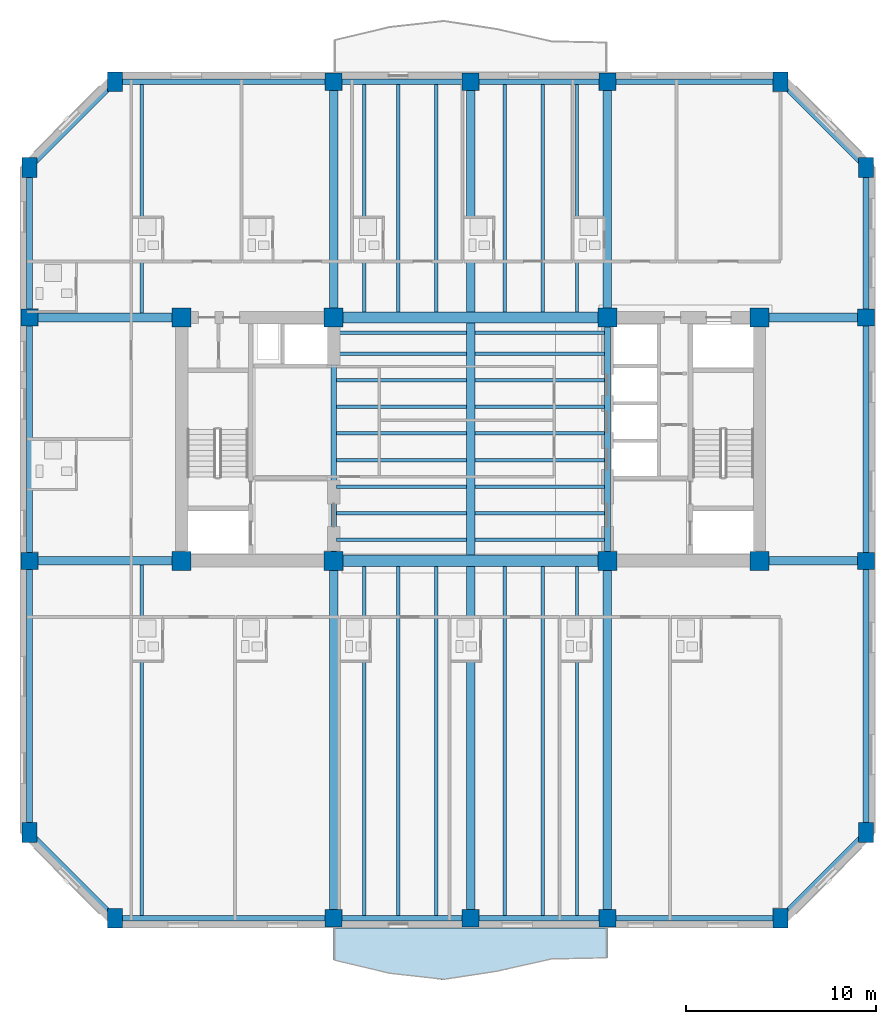
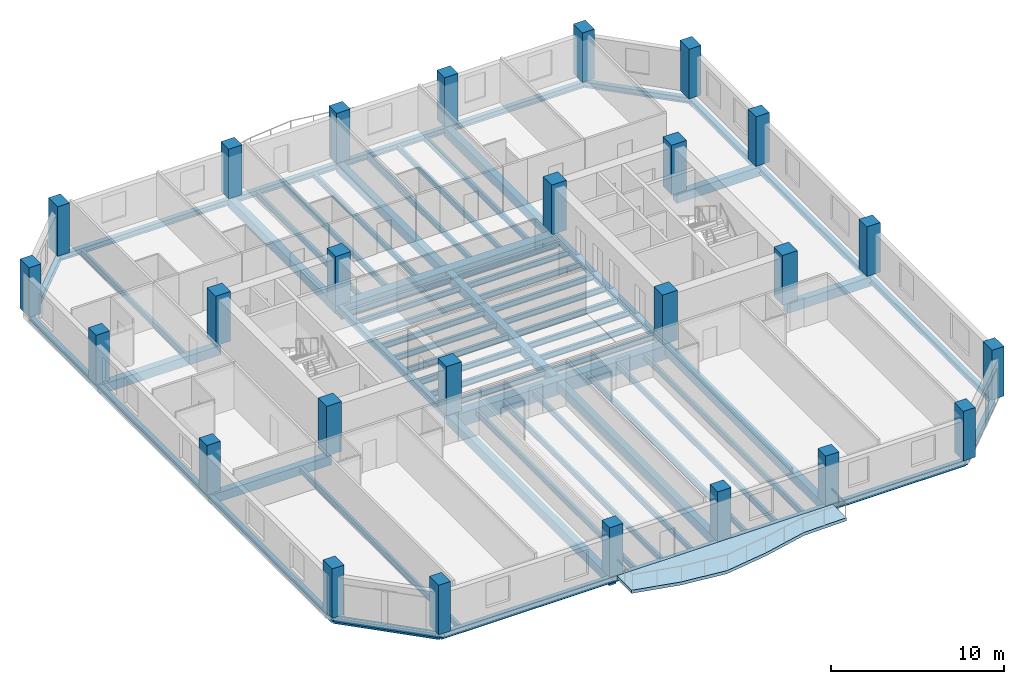
# One storey, part 1 of 11: 65 beams, 26 columns, 1 slab.
"""IFC4 building model written with IfcOpenShell, lengths in metres."""

from ifc_helpers import new_model, si_unit, direction, frame, origin, origin_2d, place, context, subcontext, project, spatial, polyline, rectangle, i_section, outline, extrude, material, layer, layer_set, material_profile, profile_set, type_object, element, save


model = new_model("IFC4")

# Units and contexts
model_context = context("Model", 3, precision=1e-05, world=origin(), true_north=direction((0.0, 1.0)))
body_context = subcontext(model_context, "Body", "Model", "MODEL_VIEW")
ifc_project = project(units=[si_unit("LENGTHUNIT", "METRE"), si_unit("AREAUNIT", "SQUARE_METRE"), si_unit("VOLUMEUNIT", "CUBIC_METRE"), si_unit("PLANEANGLEUNIT", "RADIAN"), si_unit("MASSUNIT", "GRAM", prefix="KILO")], contexts=[model_context])

# Site, building, storey
site_placement = place(None, origin())
site = spatial("IfcSite", under=ifc_project, at=site_placement, CompositionType="ELEMENT")
building_placement = place(site_placement, origin())
building = spatial("IfcBuilding", under=site, at=building_placement, Name="Kranthara Brick Stack", CompositionType="ELEMENT")
storey_placement = place(building_placement, frame((0.0, 0.0, 134.300048828125)))
storey = spatial("IfcBuildingStorey", under=building, at=storey_placement, Name="L33", CompositionType="ELEMENT", Elevation=134.300048828125)

# Columns
ifc_material_1 = material(Name="Concrete C60/75", Category="concrete")
ifc_material_profile_1 = material_profile(ifc_material_1, rectangle(XDim=0.800048828125, YDim=1.050048828125, at=origin_2d()), Name="RC 800x1050")
ifc_profile_set_1 = profile_set([ifc_material_profile_1], Name="Concrete C60/75")
column_type_1 = type_object("IfcColumnType", Name="COL-CHAM-800x1050", PredefinedType="COLUMN", material=ifc_profile_set_1)
for number, where, z_axis, x_axis, name in (
    (1, (9.300048828125, 2.0, 0.0), (0.0, 0.0, 1.0), (1.0, 0.0, 0.0), "L33 Column 09"),
    (2, (9.300048828125, 46.0, 0.0), (0.0, 0.0, 1.0), (1.0, 0.0, 0.0), "L33 Column 10"),
    (3, (44.300048828125, 2.0, 0.0), (0.0, 0.0, 1.0), (1.0, 0.0, 0.0), "L33 Column 17"),
    (4, (44.300048828125, 46.0, 0.0), (0.0, 0.0, 1.0), (1.0, 0.0, 0.0), "L33 Column 18"),
    (5, (4.800048828125, 6.5, 0.0), (0.0, 0.0, 1.0), (1.0, 0.0, 0.0), "L33 Column 19"),
    (6, (48.800048828125, 6.5, 0.0), (0.0, 0.0, 1.0), (1.0, 0.0, 0.0), "L33 Column 20"),
    (7, (4.800048828125, 41.5, 0.0), (0.0, 0.0, 1.0), (1.0, 0.0, 0.0), "L33 Column 25"),
    (8, (48.800048828125, 41.5, 0.0), (0.0, 0.0, 1.0), (1.0, 0.0, 0.0), "L33 Column 26"),
):
    element("IfcColumn", number, at=place(storey_placement, frame(where, z_axis=z_axis, x_axis=x_axis)), inside=storey, type_object=column_type_1, Name=name, PredefinedType="COLUMN", context=body_context, shape_type="SweptSolid", body=[
        extrude(rectangle(XDim=0.800048828125, YDim=1.050048828125, at=origin_2d()), origin(), (0.0, 0.0, 1.0), 3.5),
    ])
ifc_material_2 = material(Name="Concrete C60/75", Category="concrete")
ifc_material_profile_2 = material_profile(ifc_material_2, rectangle(XDim=1.0, YDim=1.0, at=origin_2d()), Name="RC 1000x1000")
ifc_profile_set_2 = profile_set([ifc_material_profile_2], Name="Concrete C60/75")
column_type_2 = type_object("IfcColumnType", Name="COL-CORE-1000", PredefinedType="COLUMN", material=ifc_profile_set_2)
for number, where, z_axis, x_axis, name in (
    (9, (12.800048828125, 20.800048828125, 0.0), (0.0, 0.0, 1.0), (1.0, 0.0, 0.0), "L33 Column 01"),
    (10, (20.800048828125, 20.800048828125, 0.0), (0.0, 0.0, 1.0), (1.0, 0.0, 0.0), "L33 Column 02"),
    (11, (12.800048828125, 33.60009765625, 0.0), (0.0, 0.0, 1.0), (1.0, 0.0, 0.0), "L33 Column 03"),
    (12, (20.800048828125, 33.60009765625, 0.0), (0.0, 0.0, 1.0), (1.0, 0.0, 0.0), "L33 Column 04"),
    (13, (35.199951171875, 20.800048828125, 0.0), (0.0, 0.0, 1.0), (1.0, 0.0, 0.0), "L33 Column 05"),
    (14, (43.199951171875, 20.800048828125, 0.0), (0.0, 0.0, 1.0), (1.0, 0.0, 0.0), "L33 Column 06"),
    (15, (35.199951171875, 33.60009765625, 0.0), (0.0, 0.0, 1.0), (1.0, 0.0, 0.0), "L33 Column 07"),
    (16, (43.199951171875, 33.60009765625, 0.0), (0.0, 0.0, 1.0), (1.0, 0.0, 0.0), "L33 Column 08"),
):
    element("IfcColumn", number, at=place(storey_placement, frame(where, z_axis=z_axis, x_axis=x_axis)), inside=storey, type_object=column_type_2, Name=name, PredefinedType="COLUMN", context=body_context, shape_type="SweptSolid", body=[
        extrude(rectangle(XDim=1.0, YDim=1.0, at=origin_2d()), origin(), (0.0, 0.0, 1.0), 3.5),
    ])
ifc_material_3 = material(Name="Concrete C60/75", Category="concrete")
ifc_material_profile_3 = material_profile(ifc_material_3, rectangle(XDim=0.89990234375, YDim=0.89990234375, at=origin_2d()), Name="RC 900x900")
ifc_profile_set_3 = profile_set([ifc_material_profile_3], Name="Concrete C60/75")
column_type_3 = type_object("IfcColumnType", Name="COL-PER-900", PredefinedType="COLUMN", material=ifc_profile_set_3)
for number, where, z_axis, x_axis, name in (
    (17, (20.800048828125, 2.0, 0.0), (0.0, 0.0, 1.0), (1.0, 0.0, 0.0), "L33 Column 11"),
    (18, (20.800048828125, 46.0, 0.0), (0.0, 0.0, 1.0), (1.0, 0.0, 0.0), "L33 Column 12"),
    (19, (28.0, 2.0, 0.0), (0.0, 0.0, 1.0), (1.0, 0.0, 0.0), "L33 Column 13"),
    (20, (28.0, 46.0, 0.0), (0.0, 0.0, 1.0), (1.0, 0.0, 0.0), "L33 Column 14"),
    (21, (35.199951171875, 2.0, 0.0), (0.0, 0.0, 1.0), (1.0, 0.0, 0.0), "L33 Column 15"),
    (22, (35.199951171875, 46.0, 0.0), (0.0, 0.0, 1.0), (1.0, 0.0, 0.0), "L33 Column 16"),
    (23, (4.800048828125, 20.800048828125, 0.0), (0.0, 0.0, 1.0), (1.0, 0.0, 0.0), "L33 Column 21"),
    (24, (48.800048828125, 20.800048828125, 0.0), (0.0, 0.0, 1.0), (1.0, 0.0, 0.0), "L33 Column 22"),
    (25, (4.800048828125, 33.60009765625, 0.0), (0.0, 0.0, 1.0), (1.0, 0.0, 0.0), "L33 Column 23"),
    (26, (48.800048828125, 33.60009765625, 0.0), (0.0, 0.0, 1.0), (1.0, 0.0, 0.0), "L33 Column 24"),
):
    element("IfcColumn", number, at=place(storey_placement, frame(where, z_axis=z_axis, x_axis=x_axis)), inside=storey, type_object=column_type_3, Name=name, PredefinedType="COLUMN", context=body_context, shape_type="SweptSolid", body=[
        extrude(rectangle(XDim=0.89990234375, YDim=0.89990234375, at=origin_2d()), origin(), (0.0, 0.0, 1.0), 3.5),
    ])

# Beams
ifc_material_4 = material(Name="Concrete C60/75", Category="concrete")
ifc_material_profile_4 = material_profile(ifc_material_4, rectangle(XDim=0.60009765625, YDim=0.949951171875, at=origin_2d()), Name="RC 600x950")
ifc_profile_set_4 = profile_set([ifc_material_profile_4], Name="Concrete C60/75")
beam_type_1 = type_object("IfcBeamType", Name="BM-CPL-RC950", PredefinedType="LINTEL", material=ifc_profile_set_4)
for number, where, z_axis, x_axis, name in (
    (27, (20.800048828125, 20.800048828125, -0.775146484375), (1.0, 0.0, 0.0), (0.0, 1.0, 0.0), "L33 Core Coupling Beam 001"),
    (28, (20.800048828125, 33.60009765625, -0.775146484375), (1.0, 0.0, 0.0), (0.0, 1.0, 0.0), "L33 Core Coupling Beam 002"),
):
    element("IfcBeam", number, at=place(storey_placement, frame(where, z_axis=z_axis, x_axis=x_axis)), inside=storey, type_object=beam_type_1, Name=name, PredefinedType="LINTEL", context=body_context, shape_type="SweptSolid", body=[
        extrude(rectangle(XDim=0.60009765625, YDim=0.949951171875, at=origin_2d()), origin(), (0.0, 0.0, 1.0), 14.39990234375),
    ])
ifc_material_5 = material(Name="Post-tensioned concrete C45/55", Category="concrete")
ifc_material_profile_5 = material_profile(ifc_material_5, rectangle(XDim=0.449951171875, YDim=0.64990234375, at=origin_2d()), Name="PT 450x650")
ifc_profile_set_5 = profile_set([ifc_material_profile_5], Name="Post-tensioned concrete C45/55")
beam_type_2 = type_object("IfcBeamType", Name="BM-FLR-PT650", PredefinedType="BEAM", material=ifc_profile_set_5)
beam_1_placement = place(storey_placement, frame((20.800048828125, 2.0, -0.625), z_axis=(0.0, 1.0, 0.0), x_axis=(-1.0, 0.0, 0.0)))
element("IfcBeam", 29, at=beam_1_placement, inside=storey, type_object=beam_type_2, Name="L33 Primary Grid Girder 023", PredefinedType="BEAM", context=body_context, shape_type="SweptSolid", body=[
    extrude(rectangle(XDim=0.449951171875, YDim=0.64990234375, at=origin_2d()), origin(), (0.0, 0.0, 1.0), 18.800048828125),
])
beam_2_placement = place(storey_placement, frame((20.800048828125, 33.60009765625, -0.625), z_axis=(0.0, 1.0, 0.0), x_axis=(-1.0, 0.0, 0.0)))
element("IfcBeam", 30, at=beam_2_placement, inside=storey, type_object=beam_type_2, Name="L33 Primary Grid Girder 024", PredefinedType="BEAM", context=body_context, shape_type="SweptSolid", body=[
    extrude(rectangle(XDim=0.449951171875, YDim=0.64990234375, at=origin_2d()), origin(), (0.0, 0.0, 1.0), 12.39990234375),
])
beam_3_placement = place(storey_placement, frame((28.0, 2.0, -0.625), z_axis=(0.0, 1.0, 0.0), x_axis=(-1.0, 0.0, 0.0)))
element("IfcBeam", 31, at=beam_3_placement, inside=storey, type_object=beam_type_2, Name="L33 Primary Grid Girder 025", PredefinedType="BEAM", context=body_context, shape_type="SweptSolid", body=[
    extrude(rectangle(XDim=0.449951171875, YDim=0.64990234375, at=origin_2d()), origin(), (0.0, 0.0, 1.0), 18.5),
])
beam_4_placement = place(storey_placement, frame((28.0, 21.10009765625, -0.625), z_axis=(0.0, 1.0, 0.0), x_axis=(-1.0, 0.0, 0.0)))
element("IfcBeam", 32, at=beam_4_placement, inside=storey, type_object=beam_type_2, Name="L33 Central Spine Girder 026", PredefinedType="BEAM", context=body_context, shape_type="SweptSolid", body=[
    extrude(rectangle(XDim=0.449951171875, YDim=0.64990234375, at=origin_2d()), origin(), (0.0, 0.0, 1.0), 12.199951171875),
])
beam_5_placement = place(storey_placement, frame((28.0, 33.89990234375, -0.625), z_axis=(0.0, 1.0, 0.0), x_axis=(-1.0, 0.0, 0.0)))
element("IfcBeam", 33, at=beam_5_placement, inside=storey, type_object=beam_type_2, Name="L33 Primary Grid Girder 027", PredefinedType="BEAM", context=body_context, shape_type="SweptSolid", body=[
    extrude(rectangle(XDim=0.449951171875, YDim=0.64990234375, at=origin_2d()), origin(), (0.0, 0.0, 1.0), 12.10009765625),
])
beam_6_placement = place(storey_placement, frame((35.199951171875, 2.0, -0.625), z_axis=(0.0, 1.0, 0.0), x_axis=(-1.0, 0.0, 0.0)))
element("IfcBeam", 34, at=beam_6_placement, inside=storey, type_object=beam_type_2, Name="L33 Primary Grid Girder 028", PredefinedType="BEAM", context=body_context, shape_type="SweptSolid", body=[
    extrude(rectangle(XDim=0.449951171875, YDim=0.64990234375, at=origin_2d()), origin(), (0.0, 0.0, 1.0), 18.800048828125),
])
beam_7_placement = place(storey_placement, frame((35.199951171875, 33.60009765625, -0.625), z_axis=(0.0, 1.0, 0.0), x_axis=(-1.0, 0.0, 0.0)))
element("IfcBeam", 35, at=beam_7_placement, inside=storey, type_object=beam_type_2, Name="L33 Primary Grid Girder 029", PredefinedType="BEAM", context=body_context, shape_type="SweptSolid", body=[
    extrude(rectangle(XDim=0.449951171875, YDim=0.64990234375, at=origin_2d()), origin(), (0.0, 0.0, 1.0), 12.39990234375),
])
beam_8_placement = place(storey_placement, frame((4.800048828125, 20.800048828125, -0.625), z_axis=(1.0, 0.0, 0.0), x_axis=(0.0, 1.0, 0.0)))
element("IfcBeam", 36, at=beam_8_placement, inside=storey, type_object=beam_type_2, Name="L33 Primary Grid Girder 030", PredefinedType="BEAM", context=body_context, shape_type="SweptSolid", body=[
    extrude(rectangle(XDim=0.449951171875, YDim=0.64990234375, at=origin_2d()), origin(), (0.0, 0.0, 1.0), 8.0),
])
beam_9_placement = place(storey_placement, frame((43.199951171875, 20.800048828125, -0.625), z_axis=(1.0, 0.0, 0.0), x_axis=(0.0, 1.0, 0.0)))
element("IfcBeam", 37, at=beam_9_placement, inside=storey, type_object=beam_type_2, Name="L33 Primary Grid Girder 031", PredefinedType="BEAM", context=body_context, shape_type="SweptSolid", body=[
    extrude(rectangle(XDim=0.449951171875, YDim=0.64990234375, at=origin_2d()), origin(), (0.0, 0.0, 1.0), 5.60009765625),
])
beam_10_placement = place(storey_placement, frame((4.800048828125, 33.60009765625, -0.625), z_axis=(1.0, 0.0, 0.0), x_axis=(0.0, 1.0, 0.0)))
element("IfcBeam", 38, at=beam_10_placement, inside=storey, type_object=beam_type_2, Name="L33 Primary Grid Girder 032", PredefinedType="BEAM", context=body_context, shape_type="SweptSolid", body=[
    extrude(rectangle(XDim=0.449951171875, YDim=0.64990234375, at=origin_2d()), origin(), (0.0, 0.0, 1.0), 8.0),
])
beam_11_placement = place(storey_placement, frame((43.199951171875, 33.60009765625, -0.625), z_axis=(1.0, 0.0, 0.0), x_axis=(0.0, 1.0, 0.0)))
element("IfcBeam", 39, at=beam_11_placement, inside=storey, type_object=beam_type_2, Name="L33 Primary Grid Girder 033", PredefinedType="BEAM", context=body_context, shape_type="SweptSolid", body=[
    extrude(rectangle(XDim=0.449951171875, YDim=0.64990234375, at=origin_2d()), origin(), (0.0, 0.0, 1.0), 5.60009765625),
])
ifc_material_6 = material(Name="Steel S355", Category="steel")
ifc_material_profile_6 = material_profile(ifc_material_6, i_section(OverallWidth=0.179931640625, OverallDepth=0.39990234375, WebThickness=0.008544921875, FlangeThickness=0.013427734375, at=origin_2d()), Name="IPE 400")
ifc_profile_set_6 = profile_set([ifc_material_profile_6], Name="Steel S355")
beam_type_3 = type_object("IfcBeamType", Name="BM-JST-IPE400", PredefinedType="JOIST", material=ifc_profile_set_6)
for number, where, z_axis, x_axis, name in (
    (40, (20.949951171875, 21.89990234375, -0.5), (1.0, 0.0, 0.0), (0.0, 1.0, 0.0), "L33 Central Floor Joist 034"),
    (41, (28.22509765625, 21.89990234375, -0.5), (1.0, 0.0, 0.0), (0.0, 1.0, 0.0), "L33 Central Floor Joist 035"),
    (42, (20.949951171875, 23.300048828125, -0.5), (1.0, 0.0, 0.0), (0.0, 1.0, 0.0), "L33 Central Floor Joist 036"),
    (43, (28.22509765625, 23.300048828125, -0.5), (1.0, 0.0, 0.0), (0.0, 1.0, 0.0), "L33 Central Floor Joist 037"),
    (44, (20.949951171875, 24.699951171875, -0.5), (1.0, 0.0, 0.0), (0.0, 1.0, 0.0), "L33 Central Floor Joist 038"),
    (45, (28.22509765625, 24.699951171875, -0.5), (1.0, 0.0, 0.0), (0.0, 1.0, 0.0), "L33 Central Floor Joist 039"),
    (46, (20.949951171875, 26.10009765625, -0.5), (1.0, 0.0, 0.0), (0.0, 1.0, 0.0), "L33 Central Floor Joist 040"),
    (47, (28.22509765625, 26.10009765625, -0.5), (1.0, 0.0, 0.0), (0.0, 1.0, 0.0), "L33 Central Floor Joist 041"),
    (48, (20.949951171875, 27.5, -0.5), (1.0, 0.0, 0.0), (0.0, 1.0, 0.0), "L33 Central Floor Joist 042"),
    (49, (28.22509765625, 27.5, -0.5), (1.0, 0.0, 0.0), (0.0, 1.0, 0.0), "L33 Central Floor Joist 043"),
    (50, (20.949951171875, 28.89990234375, -0.5), (1.0, 0.0, 0.0), (0.0, 1.0, 0.0), "L33 Central Floor Joist 044"),
    (51, (28.22509765625, 28.89990234375, -0.5), (1.0, 0.0, 0.0), (0.0, 1.0, 0.0), "L33 Central Floor Joist 045"),
    (52, (20.949951171875, 30.300048828125, -0.5), (1.0, 0.0, 0.0), (0.0, 1.0, 0.0), "L33 Central Floor Joist 046"),
    (53, (28.22509765625, 30.300048828125, -0.5), (1.0, 0.0, 0.0), (0.0, 1.0, 0.0), "L33 Central Floor Joist 047"),
    (54, (20.949951171875, 31.699951171875, -0.5), (1.0, 0.0, 0.0), (0.0, 1.0, 0.0), "L33 Central Floor Joist 048"),
    (55, (28.22509765625, 31.699951171875, -0.5), (1.0, 0.0, 0.0), (0.0, 1.0, 0.0), "L33 Central Floor Joist 049"),
    (56, (20.949951171875, 32.800048828125, -0.5), (1.0, 0.0, 0.0), (0.0, 1.0, 0.0), "L33 Central Floor Joist 050"),
    (57, (28.22509765625, 32.800048828125, -0.5), (1.0, 0.0, 0.0), (0.0, 1.0, 0.0), "L33 Central Floor Joist 051"),
):
    element("IfcBeam", number, at=place(storey_placement, frame(where, z_axis=z_axis, x_axis=x_axis)), inside=storey, type_object=beam_type_3, Name=name, PredefinedType="JOIST", context=body_context, shape_type="SweptSolid", body=[
        extrude(i_section(OverallWidth=0.179931640625, OverallDepth=0.39990234375, WebThickness=0.008544921875, FlangeThickness=0.013427734375, at=origin_2d()), origin(), (0.0, 0.0, 1.0), 6.824951171875),
    ])
beam_12_placement = place(storey_placement, frame((10.699951171875, 2.14990234375, -0.5), z_axis=(0.0, 1.0, 0.0), x_axis=(-1.0, 0.0, 0.0)))
element("IfcBeam", 58, at=beam_12_placement, inside=storey, type_object=beam_type_3, Name="L33 South Wing Floor Joist 052", PredefinedType="JOIST", context=body_context, shape_type="SweptSolid", body=[
    extrude(i_section(OverallWidth=0.179931640625, OverallDepth=0.39990234375, WebThickness=0.008544921875, FlangeThickness=0.013427734375, at=origin_2d()), origin(), (0.0, 0.0, 1.0), 18.425048828125),
])
beam_13_placement = place(storey_placement, frame((10.699951171875, 33.824951171875, -0.5), z_axis=(0.0, 1.0, 0.0), x_axis=(-1.0, 0.0, 0.0)))
element("IfcBeam", 59, at=beam_13_placement, inside=storey, type_object=beam_type_3, Name="L33 North Wing Floor Joist 053", PredefinedType="JOIST", context=body_context, shape_type="SweptSolid", body=[
    extrude(i_section(OverallWidth=0.179931640625, OverallDepth=0.39990234375, WebThickness=0.008544921875, FlangeThickness=0.013427734375, at=origin_2d()), origin(), (0.0, 0.0, 1.0), 12.025146484375),
])
beam_14_placement = place(storey_placement, frame((22.39990234375, 2.14990234375, -0.5), z_axis=(0.0, 1.0, 0.0), x_axis=(-1.0, 0.0, 0.0)))
element("IfcBeam", 60, at=beam_14_placement, inside=storey, type_object=beam_type_3, Name="L33 South Wing Floor Joist 054", PredefinedType="JOIST", context=body_context, shape_type="SweptSolid", body=[
    extrude(i_section(OverallWidth=0.179931640625, OverallDepth=0.39990234375, WebThickness=0.008544921875, FlangeThickness=0.013427734375, at=origin_2d()), origin(), (0.0, 0.0, 1.0), 18.35009765625),
])
beam_15_placement = place(storey_placement, frame((22.39990234375, 33.89990234375, -0.5), z_axis=(0.0, 1.0, 0.0), x_axis=(-1.0, 0.0, 0.0)))
element("IfcBeam", 61, at=beam_15_placement, inside=storey, type_object=beam_type_3, Name="L33 North Wing Floor Joist 055", PredefinedType="JOIST", context=body_context, shape_type="SweptSolid", body=[
    extrude(i_section(OverallWidth=0.179931640625, OverallDepth=0.39990234375, WebThickness=0.008544921875, FlangeThickness=0.013427734375, at=origin_2d()), origin(), (0.0, 0.0, 1.0), 11.9501953125),
])
beam_16_placement = place(storey_placement, frame((24.199951171875, 2.14990234375, -0.5), z_axis=(0.0, 1.0, 0.0), x_axis=(-1.0, 0.0, 0.0)))
element("IfcBeam", 62, at=beam_16_placement, inside=storey, type_object=beam_type_3, Name="L33 South Wing Floor Joist 056", PredefinedType="JOIST", context=body_context, shape_type="SweptSolid", body=[
    extrude(i_section(OverallWidth=0.179931640625, OverallDepth=0.39990234375, WebThickness=0.008544921875, FlangeThickness=0.013427734375, at=origin_2d()), origin(), (0.0, 0.0, 1.0), 18.35009765625),
])
beam_17_placement = place(storey_placement, frame((24.199951171875, 33.89990234375, -0.5), z_axis=(0.0, 1.0, 0.0), x_axis=(-1.0, 0.0, 0.0)))
element("IfcBeam", 63, at=beam_17_placement, inside=storey, type_object=beam_type_3, Name="L33 North Wing Floor Joist 057", PredefinedType="JOIST", context=body_context, shape_type="SweptSolid", body=[
    extrude(i_section(OverallWidth=0.179931640625, OverallDepth=0.39990234375, WebThickness=0.008544921875, FlangeThickness=0.013427734375, at=origin_2d()), origin(), (0.0, 0.0, 1.0), 11.9501953125),
])
beam_18_placement = place(storey_placement, frame((26.199951171875, 2.14990234375, -0.5), z_axis=(0.0, 1.0, 0.0), x_axis=(-1.0, 0.0, 0.0)))
element("IfcBeam", 64, at=beam_18_placement, inside=storey, type_object=beam_type_3, Name="L33 South Wing Floor Joist 058", PredefinedType="JOIST", context=body_context, shape_type="SweptSolid", body=[
    extrude(i_section(OverallWidth=0.179931640625, OverallDepth=0.39990234375, WebThickness=0.008544921875, FlangeThickness=0.013427734375, at=origin_2d()), origin(), (0.0, 0.0, 1.0), 18.35009765625),
])
beam_19_placement = place(storey_placement, frame((26.199951171875, 33.89990234375, -0.5), z_axis=(0.0, 1.0, 0.0), x_axis=(-1.0, 0.0, 0.0)))
element("IfcBeam", 65, at=beam_19_placement, inside=storey, type_object=beam_type_3, Name="L33 North Wing Floor Joist 059", PredefinedType="JOIST", context=body_context, shape_type="SweptSolid", body=[
    extrude(i_section(OverallWidth=0.179931640625, OverallDepth=0.39990234375, WebThickness=0.008544921875, FlangeThickness=0.013427734375, at=origin_2d()), origin(), (0.0, 0.0, 1.0), 11.9501953125),
])
beam_20_placement = place(storey_placement, frame((29.800048828125, 2.14990234375, -0.5), z_axis=(0.0, 1.0, 0.0), x_axis=(-1.0, 0.0, 0.0)))
element("IfcBeam", 66, at=beam_20_placement, inside=storey, type_object=beam_type_3, Name="L33 South Wing Floor Joist 060", PredefinedType="JOIST", context=body_context, shape_type="SweptSolid", body=[
    extrude(i_section(OverallWidth=0.179931640625, OverallDepth=0.39990234375, WebThickness=0.008544921875, FlangeThickness=0.013427734375, at=origin_2d()), origin(), (0.0, 0.0, 1.0), 18.35009765625),
])
beam_21_placement = place(storey_placement, frame((29.800048828125, 33.89990234375, -0.5), z_axis=(0.0, 1.0, 0.0), x_axis=(-1.0, 0.0, 0.0)))
element("IfcBeam", 67, at=beam_21_placement, inside=storey, type_object=beam_type_3, Name="L33 North Wing Floor Joist 061", PredefinedType="JOIST", context=body_context, shape_type="SweptSolid", body=[
    extrude(i_section(OverallWidth=0.179931640625, OverallDepth=0.39990234375, WebThickness=0.008544921875, FlangeThickness=0.013427734375, at=origin_2d()), origin(), (0.0, 0.0, 1.0), 11.9501953125),
])
beam_22_placement = place(storey_placement, frame((31.800048828125, 2.14990234375, -0.5), z_axis=(0.0, 1.0, 0.0), x_axis=(-1.0, 0.0, 0.0)))
element("IfcBeam", 68, at=beam_22_placement, inside=storey, type_object=beam_type_3, Name="L33 South Wing Floor Joist 062", PredefinedType="JOIST", context=body_context, shape_type="SweptSolid", body=[
    extrude(i_section(OverallWidth=0.179931640625, OverallDepth=0.39990234375, WebThickness=0.008544921875, FlangeThickness=0.013427734375, at=origin_2d()), origin(), (0.0, 0.0, 1.0), 18.35009765625),
])
beam_23_placement = place(storey_placement, frame((31.800048828125, 33.89990234375, -0.5), z_axis=(0.0, 1.0, 0.0), x_axis=(-1.0, 0.0, 0.0)))
element("IfcBeam", 69, at=beam_23_placement, inside=storey, type_object=beam_type_3, Name="L33 North Wing Floor Joist 063", PredefinedType="JOIST", context=body_context, shape_type="SweptSolid", body=[
    extrude(i_section(OverallWidth=0.179931640625, OverallDepth=0.39990234375, WebThickness=0.008544921875, FlangeThickness=0.013427734375, at=origin_2d()), origin(), (0.0, 0.0, 1.0), 11.9501953125),
])
beam_24_placement = place(storey_placement, frame((33.60009765625, 2.14990234375, -0.5), z_axis=(0.0, 1.0, 0.0), x_axis=(-1.0, 0.0, 0.0)))
element("IfcBeam", 70, at=beam_24_placement, inside=storey, type_object=beam_type_3, Name="L33 South Wing Floor Joist 064", PredefinedType="JOIST", context=body_context, shape_type="SweptSolid", body=[
    extrude(i_section(OverallWidth=0.179931640625, OverallDepth=0.39990234375, WebThickness=0.008544921875, FlangeThickness=0.013427734375, at=origin_2d()), origin(), (0.0, 0.0, 1.0), 18.35009765625),
])
beam_25_placement = place(storey_placement, frame((33.60009765625, 33.89990234375, -0.5), z_axis=(0.0, 1.0, 0.0), x_axis=(-1.0, 0.0, 0.0)))
element("IfcBeam", 71, at=beam_25_placement, inside=storey, type_object=beam_type_3, Name="L33 North Wing Floor Joist 065", PredefinedType="JOIST", context=body_context, shape_type="SweptSolid", body=[
    extrude(i_section(OverallWidth=0.179931640625, OverallDepth=0.39990234375, WebThickness=0.008544921875, FlangeThickness=0.013427734375, at=origin_2d()), origin(), (0.0, 0.0, 1.0), 11.9501953125),
])
ifc_material_7 = material(Name="Steel S355", Category="steel")
ifc_material_profile_7 = material_profile(ifc_material_7, i_section(OverallWidth=0.300048828125, OverallDepth=0.39990234375, WebThickness=0.013427734375, FlangeThickness=0.02392578125, at=origin_2d()), Name="HEB 400")
ifc_profile_set_7 = profile_set([ifc_material_profile_7], Name="Steel S355")
beam_type_4 = type_object("IfcBeamType", Name="BM-STL-HEB400", PredefinedType="SPANDREL", material=ifc_profile_set_7)
beam_26_placement = place(storey_placement, frame((9.300048828125, 2.0, -0.5), z_axis=(1.0, 0.0, 0.0), x_axis=(0.0, 1.0, 0.0)))
element("IfcBeam", 72, at=beam_26_placement, inside=storey, type_object=beam_type_4, Name="L33 Perimeter Spandrel Beam 005", PredefinedType="SPANDREL", context=body_context, shape_type="SweptSolid", body=[
    extrude(i_section(OverallWidth=0.300048828125, OverallDepth=0.39990234375, WebThickness=0.013427734375, FlangeThickness=0.02392578125, at=origin_2d()), origin(), (0.0, 0.0, 1.0), 11.5),
])
for number, where, z_axis, x_axis, name in (
    (73, (20.800048828125, 2.0, -0.5), (1.0, 0.0, 0.0), (0.0, 1.0, 0.0), "L33 Perimeter Spandrel Beam 006"),
    (74, (28.0, 2.0, -0.5), (1.0, 0.0, 0.0), (0.0, 1.0, 0.0), "L33 Perimeter Spandrel Beam 007"),
):
    element("IfcBeam", number, at=place(storey_placement, frame(where, z_axis=z_axis, x_axis=x_axis)), inside=storey, type_object=beam_type_4, Name=name, PredefinedType="SPANDREL", context=body_context, shape_type="SweptSolid", body=[
        extrude(i_section(OverallWidth=0.300048828125, OverallDepth=0.39990234375, WebThickness=0.013427734375, FlangeThickness=0.02392578125, at=origin_2d()), origin(), (0.0, 0.0, 1.0), 7.199951171875),
    ])
beam_27_placement = place(storey_placement, frame((35.199951171875, 2.0, -0.5), z_axis=(1.0, 0.0, 0.0), x_axis=(0.0, 1.0, 0.0)))
element("IfcBeam", 75, at=beam_27_placement, inside=storey, type_object=beam_type_4, Name="L33 Perimeter Spandrel Beam 008", PredefinedType="SPANDREL", context=body_context, shape_type="SweptSolid", body=[
    extrude(i_section(OverallWidth=0.300048828125, OverallDepth=0.39990234375, WebThickness=0.013427734375, FlangeThickness=0.02392578125, at=origin_2d()), origin(), (0.0, 0.0, 1.0), 9.10009765625),
])
beam_28_placement = place(storey_placement, frame((9.300048828125, 46.0, -0.5), z_axis=(1.0, 0.0, 0.0), x_axis=(0.0, 1.0, 0.0)))
element("IfcBeam", 76, at=beam_28_placement, inside=storey, type_object=beam_type_4, Name="L33 Perimeter Spandrel Beam 009", PredefinedType="SPANDREL", context=body_context, shape_type="SweptSolid", body=[
    extrude(i_section(OverallWidth=0.300048828125, OverallDepth=0.39990234375, WebThickness=0.013427734375, FlangeThickness=0.02392578125, at=origin_2d()), origin(), (0.0, 0.0, 1.0), 11.5),
])
for number, where, z_axis, x_axis, name in (
    (77, (20.800048828125, 46.0, -0.5), (1.0, 0.0, 0.0), (0.0, 1.0, 0.0), "L33 Perimeter Spandrel Beam 010"),
    (78, (28.0, 46.0, -0.5), (1.0, 0.0, 0.0), (0.0, 1.0, 0.0), "L33 Perimeter Spandrel Beam 011"),
):
    element("IfcBeam", number, at=place(storey_placement, frame(where, z_axis=z_axis, x_axis=x_axis)), inside=storey, type_object=beam_type_4, Name=name, PredefinedType="SPANDREL", context=body_context, shape_type="SweptSolid", body=[
        extrude(i_section(OverallWidth=0.300048828125, OverallDepth=0.39990234375, WebThickness=0.013427734375, FlangeThickness=0.02392578125, at=origin_2d()), origin(), (0.0, 0.0, 1.0), 7.199951171875),
    ])
beam_29_placement = place(storey_placement, frame((35.199951171875, 46.0, -0.5), z_axis=(1.0, 0.0, 0.0), x_axis=(0.0, 1.0, 0.0)))
element("IfcBeam", 79, at=beam_29_placement, inside=storey, type_object=beam_type_4, Name="L33 Perimeter Spandrel Beam 012", PredefinedType="SPANDREL", context=body_context, shape_type="SweptSolid", body=[
    extrude(i_section(OverallWidth=0.300048828125, OverallDepth=0.39990234375, WebThickness=0.013427734375, FlangeThickness=0.02392578125, at=origin_2d()), origin(), (0.0, 0.0, 1.0), 9.10009765625),
])
beam_30_placement = place(storey_placement, frame((4.800048828125, 6.5, -0.5), z_axis=(0.0, 1.0, 0.0), x_axis=(-1.0, 0.0, 0.0)))
element("IfcBeam", 80, at=beam_30_placement, inside=storey, type_object=beam_type_4, Name="L33 Perimeter Spandrel Beam 013", PredefinedType="SPANDREL", context=body_context, shape_type="SweptSolid", body=[
    extrude(i_section(OverallWidth=0.300048828125, OverallDepth=0.39990234375, WebThickness=0.013427734375, FlangeThickness=0.02392578125, at=origin_2d()), origin(), (0.0, 0.0, 1.0), 14.300048828125),
])
beam_31_placement = place(storey_placement, frame((4.800048828125, 20.800048828125, -0.5), z_axis=(0.0, 1.0, 0.0), x_axis=(-1.0, 0.0, 0.0)))
element("IfcBeam", 81, at=beam_31_placement, inside=storey, type_object=beam_type_4, Name="L33 Perimeter Spandrel Beam 014", PredefinedType="SPANDREL", context=body_context, shape_type="SweptSolid", body=[
    extrude(i_section(OverallWidth=0.300048828125, OverallDepth=0.39990234375, WebThickness=0.013427734375, FlangeThickness=0.02392578125, at=origin_2d()), origin(), (0.0, 0.0, 1.0), 12.800048828125),
])
beam_32_placement = place(storey_placement, frame((4.800048828125, 33.60009765625, -0.5), z_axis=(0.0, 1.0, 0.0), x_axis=(-1.0, 0.0, 0.0)))
element("IfcBeam", 82, at=beam_32_placement, inside=storey, type_object=beam_type_4, Name="L33 Perimeter Spandrel Beam 015", PredefinedType="SPANDREL", context=body_context, shape_type="SweptSolid", body=[
    extrude(i_section(OverallWidth=0.300048828125, OverallDepth=0.39990234375, WebThickness=0.013427734375, FlangeThickness=0.02392578125, at=origin_2d()), origin(), (0.0, 0.0, 1.0), 7.89990234375),
])
beam_33_placement = place(storey_placement, frame((48.800048828125, 6.5, -0.5), z_axis=(0.0, 1.0, 0.0), x_axis=(-1.0, 0.0, 0.0)))
element("IfcBeam", 83, at=beam_33_placement, inside=storey, type_object=beam_type_4, Name="L33 Perimeter Spandrel Beam 016", PredefinedType="SPANDREL", context=body_context, shape_type="SweptSolid", body=[
    extrude(i_section(OverallWidth=0.300048828125, OverallDepth=0.39990234375, WebThickness=0.013427734375, FlangeThickness=0.02392578125, at=origin_2d()), origin(), (0.0, 0.0, 1.0), 14.300048828125),
])
beam_34_placement = place(storey_placement, frame((48.800048828125, 20.800048828125, -0.5), z_axis=(0.0, 1.0, 0.0), x_axis=(-1.0, 0.0, 0.0)))
element("IfcBeam", 84, at=beam_34_placement, inside=storey, type_object=beam_type_4, Name="L33 Perimeter Spandrel Beam 017", PredefinedType="SPANDREL", context=body_context, shape_type="SweptSolid", body=[
    extrude(i_section(OverallWidth=0.300048828125, OverallDepth=0.39990234375, WebThickness=0.013427734375, FlangeThickness=0.02392578125, at=origin_2d()), origin(), (0.0, 0.0, 1.0), 12.800048828125),
])
beam_35_placement = place(storey_placement, frame((48.800048828125, 33.60009765625, -0.5), z_axis=(0.0, 1.0, 0.0), x_axis=(-1.0, 0.0, 0.0)))
element("IfcBeam", 85, at=beam_35_placement, inside=storey, type_object=beam_type_4, Name="L33 Perimeter Spandrel Beam 018", PredefinedType="SPANDREL", context=body_context, shape_type="SweptSolid", body=[
    extrude(i_section(OverallWidth=0.300048828125, OverallDepth=0.39990234375, WebThickness=0.013427734375, FlangeThickness=0.02392578125, at=origin_2d()), origin(), (0.0, 0.0, 1.0), 7.89990234375),
])
for number, where, z_axis, x_axis, name in (
    (86, (9.300048828125, 2.0, -0.5), (-0.707106781187, 0.707106781187, 0.0), (-0.707106781187, -0.707106781187, 0.0), "L33 Chamfer Corner Spandrel 019"),
    (87, (44.300048828125, 2.0, -0.5), (0.707106781187, 0.707106781187, 0.0), (-0.707106781187, 0.707106781187, 0.0), "L33 Chamfer Corner Spandrel 020"),
    (88, (9.300048828125, 46.0, -0.5), (-0.707106781187, -0.707106781187, 0.0), (0.707106781187, -0.707106781187, 0.0), "L33 Chamfer Corner Spandrel 021"),
    (89, (44.300048828125, 46.0, -0.5), (0.707106781187, -0.707106781187, 0.0), (0.707106781187, 0.707106781187, 0.0), "L33 Chamfer Corner Spandrel 022"),
):
    element("IfcBeam", number, at=place(storey_placement, frame(where, z_axis=z_axis, x_axis=x_axis)), inside=storey, type_object=beam_type_4, Name=name, PredefinedType="SPANDREL", context=body_context, shape_type="SweptSolid", body=[
        extrude(i_section(OverallWidth=0.300048828125, OverallDepth=0.39990234375, WebThickness=0.013427734375, FlangeThickness=0.02392578125, at=origin_2d()), origin(), (0.0, 0.0, 1.0), 6.364013671875),
    ])
ifc_material_8 = material(Name="Steel S355", Category="steel")
ifc_material_profile_8 = material_profile(ifc_material_8, i_section(OverallWidth=0.300048828125, OverallDepth=0.449951171875, WebThickness=0.013916015625, FlangeThickness=0.02587890625, at=origin_2d()), Name="HEB 450")
ifc_profile_set_8 = profile_set([ifc_material_profile_8], Name="Steel S355")
beam_type_5 = type_object("IfcBeamType", Name="BM-STL-HEB450", PredefinedType="SPANDREL", material=ifc_profile_set_8)
for number, where, z_axis, x_axis, name in (
    (90, (20.800048828125, 20.800048828125, -0.525146484375), (0.0, 1.0, 0.0), (-1.0, 0.0, 0.0), "L33 Core Edge Tie Beam 003"),
    (91, (35.199951171875, 20.800048828125, -0.525146484375), (0.0, 1.0, 0.0), (-1.0, 0.0, 0.0), "L33 Core Edge Tie Beam 004"),
):
    element("IfcBeam", number, at=place(storey_placement, frame(where, z_axis=z_axis, x_axis=x_axis)), inside=storey, type_object=beam_type_5, Name=name, PredefinedType="SPANDREL", context=body_context, shape_type="SweptSolid", body=[
        extrude(i_section(OverallWidth=0.300048828125, OverallDepth=0.449951171875, WebThickness=0.013916015625, FlangeThickness=0.02587890625, at=origin_2d()), origin(), (0.0, 0.0, 1.0), 12.800048828125),
    ])

# Slab
ifc_material_9 = material(Name="Concrete C45/55", Category="concrete")
ifc_layer = layer(ifc_material_9, 0.219970703125)
ifc_layer_set = layer_set([ifc_layer], Name="Concrete C45/55")
slab_type = type_object("IfcSlabType", Name="SLB-BALC-220", PredefinedType="FLOOR", material=ifc_layer_set)
slab_placement = place(storey_placement, frame((0.0, 0.0, -0.219970703125)))
element("IfcSlab", 92, at=slab_placement, inside=storey, type_object=slab_type, Name="L33 South Rippling Balcony Slab", PredefinedType="FLOOR", context=body_context, shape_type="SweptSolid", body=[
    extrude(outline(polyline([(20.800048828125, 1.5), (35.199951171875, 1.5), (35.199951171875, -0.07861328125), (32.320068359375, -0.140380859375), (29.43994140625, -0.8115234375), (26.56005859375, -1.248046875), (23.679931640625, -0.901123046875), (20.800048828125, -0.206787109375), (20.800048828125, 1.5)])), origin(), (0.0, 0.0, 1.0), 0.219970703125),
])

save(model, "model.ifc")
